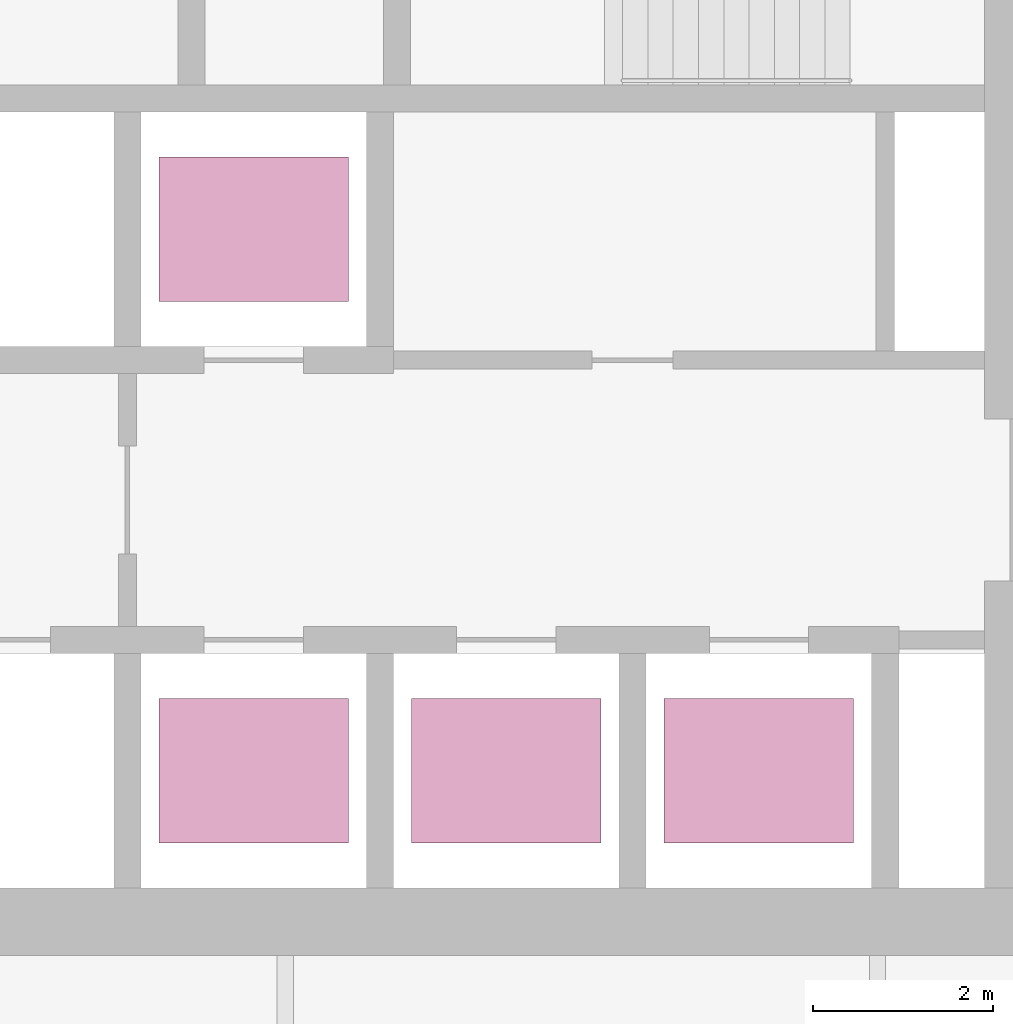
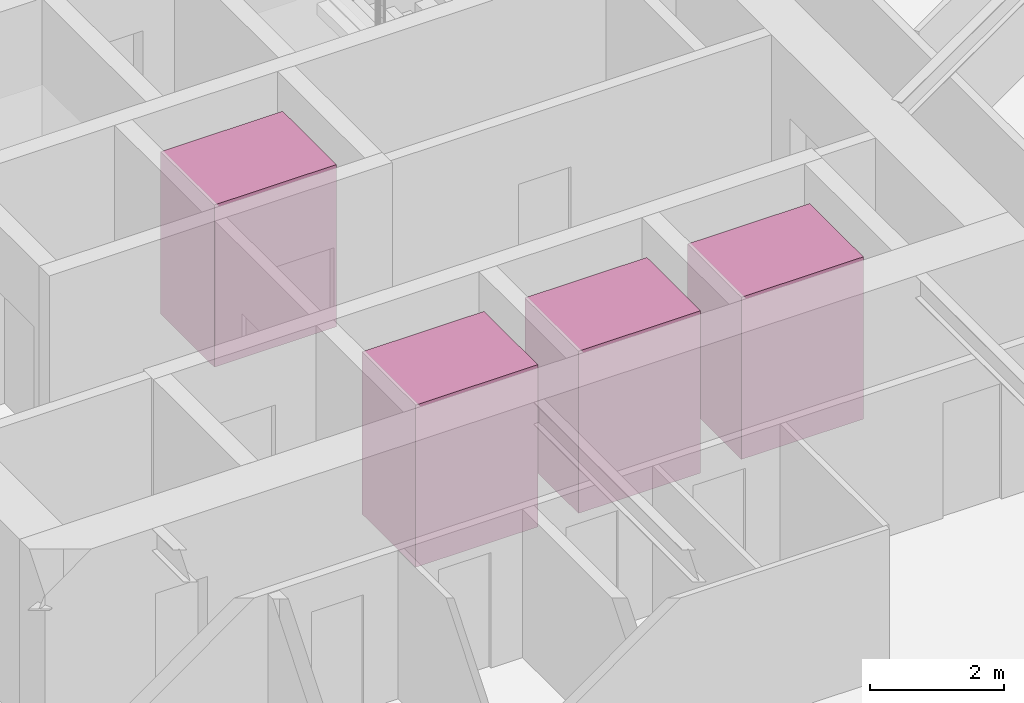
# One storey, part 21 of 21: 4 transport elements.
"""IFC4 building model written with IfcOpenShell, lengths in metres."""

from ifc_helpers import new_model, si_unit, direction, frame, origin, origin_2d, place, context, subcontext, project, spatial, rectangle, extrude, material, type_object, element, save


model = new_model("IFC4")

# Units and contexts
model_context = context("Model", 3, precision=1e-05, world=origin(), true_north=direction((0.0, 1.0)))
body_context = subcontext(model_context, "Body", "Model", "MODEL_VIEW")
ifc_project = project(units=[si_unit("LENGTHUNIT", "METRE"), si_unit("AREAUNIT", "SQUARE_METRE"), si_unit("VOLUMEUNIT", "CUBIC_METRE"), si_unit("PLANEANGLEUNIT", "RADIAN"), si_unit("MASSUNIT", "GRAM", prefix="KILO")], contexts=[model_context])

# Site, building, storey
site_placement = place(None, origin())
site = spatial("IfcSite", under=ifc_project, at=site_placement, CompositionType="ELEMENT")
building_placement = place(site_placement, origin())
building = spatial("IfcBuilding", under=site, at=building_placement, Name="Firuza Gate Tower and Library", CompositionType="ELEMENT")
storey_placement = place(building_placement, frame((0.0, 0.0, 274.10009765625)))
storey = spatial("IfcBuildingStorey", under=building, at=storey_placement, Name="L65", CompositionType="ELEMENT", Elevation=274.10009765625)

# Transport elements
ifc_material = material(Name="Stainless steel and glass", Category="steel")
transport_element_type = type_object("IfcTransportElementType", Name="High-rise lift car 2100x1600", PredefinedType="ELEVATOR", material=ifc_material)
for number, where, z_axis, x_axis, name in (
    (1, (74.64990234375, 70.300048828125, 0.0), (0.0, 0.0, 1.0), (1.0, 0.0, 0.0), "High-rise lift HR1"),
    (2, (77.449951171875, 70.300048828125, 0.0), (0.0, 0.0, 1.0), (1.0, 0.0, 0.0), "High-rise lift HR2"),
    (3, (80.25, 70.300048828125, 0.0), (0.0, 0.0, 1.0), (1.0, 0.0, 0.0), "High-rise lift HR3"),
    (4, (74.64990234375, 76.300048828125, 0.0), (0.0, 0.0, 1.0), (1.0, 0.0, 0.0), "High-rise lift HR4"),
):
    element("IfcTransportElement", number, at=place(storey_placement, frame(where, z_axis=z_axis, x_axis=x_axis)), inside=storey, type_object=transport_element_type, Name=name, PredefinedType="ELEVATOR", context=body_context, shape_type="SweptSolid", body=[
        extrude(rectangle(XDim=2.10009765625, YDim=1.60009765625, at=origin_2d()), origin(), (0.0, 0.0, 1.0), 2.949951171875),
    ])

save(model, "model.ifc")
